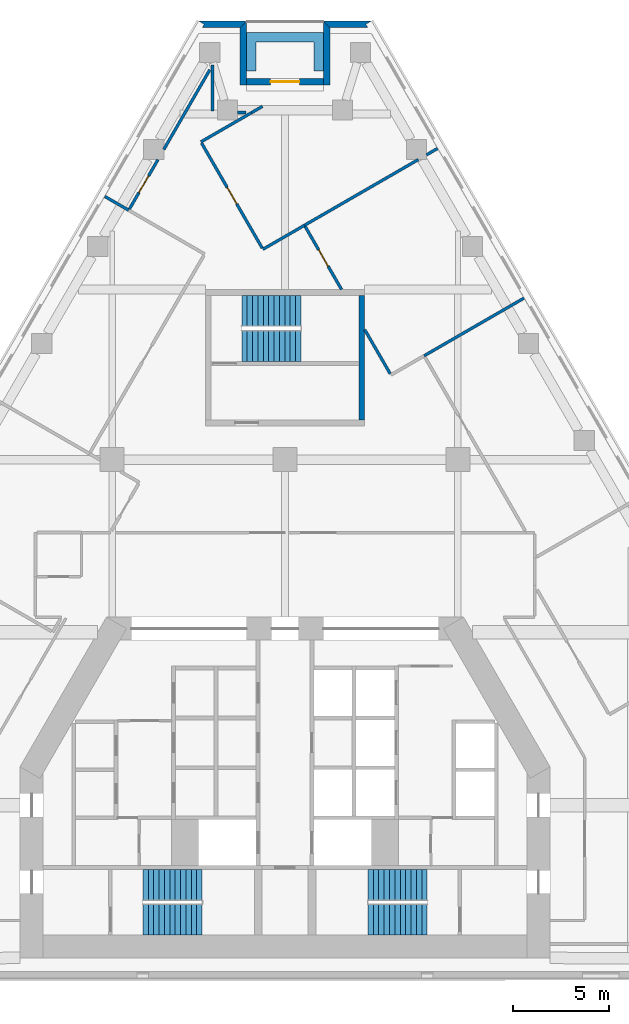
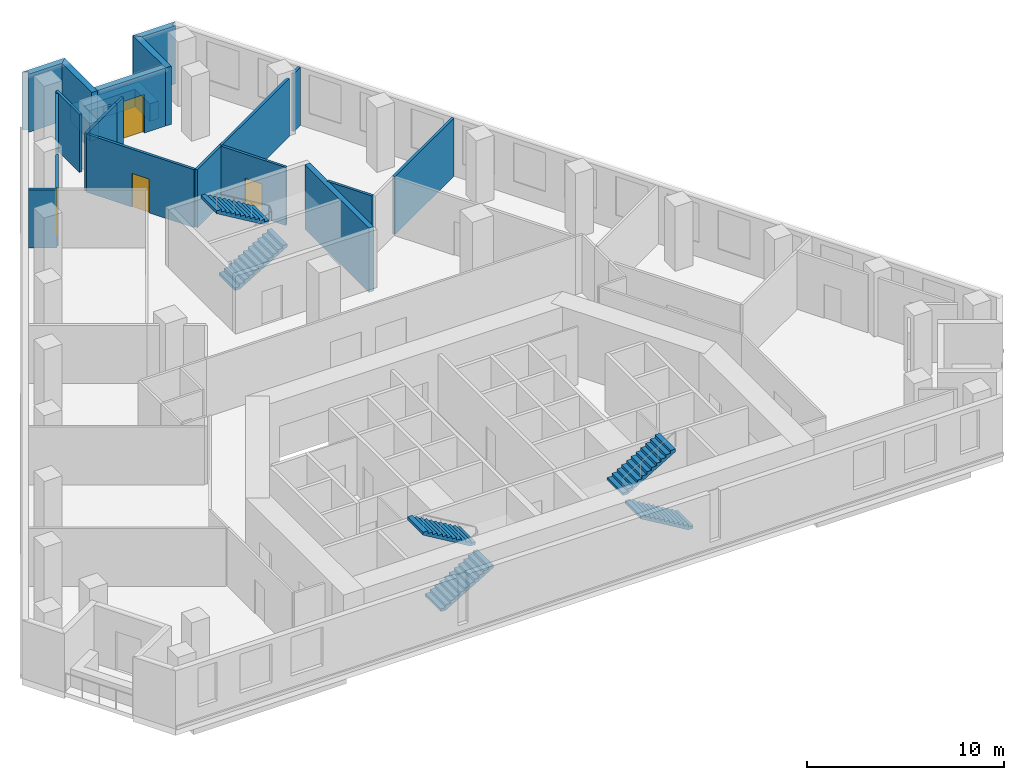
# One storey, part 7 of 8: 21 walls, 6 stair flights, 4 doors, 4 openings, 3 elements without a shape of their own.
"""IFC4 building model written with IfcOpenShell, lengths in metres."""

from ifc_helpers import new_model, si_unit, direction, frame, frame_2d, origin, place, context, subcontext, project, spatial, polyline, rectangle, outline, extrude, material, layer, layer_set, type_object, element, fill, aggregate, save


model = new_model("IFC4")

# Units and contexts
model_context = context("Model", 3, precision=1e-05, world=origin(), true_north=direction((0.0, 1.0)))
body_context = subcontext(model_context, "Body", "Model", "MODEL_VIEW")
ifc_project = project(units=[si_unit("LENGTHUNIT", "METRE"), si_unit("AREAUNIT", "SQUARE_METRE"), si_unit("VOLUMEUNIT", "CUBIC_METRE"), si_unit("PLANEANGLEUNIT", "RADIAN"), si_unit("MASSUNIT", "GRAM", prefix="KILO")], contexts=[model_context])

# Site, building, storey
site_placement = place(None, origin())
site = spatial("IfcSite", under=ifc_project, at=site_placement, CompositionType="ELEMENT")
building_placement = place(site_placement, origin())
building = spatial("IfcBuilding", under=site, at=building_placement, Name="Fogline Exchange Tower", CompositionType="ELEMENT")
storey_placement = place(building_placement, frame((0.0, 0.0, 162.89990234375)))
storey = spatial("IfcBuildingStorey", under=building, at=storey_placement, Name="L36", CompositionType="ELEMENT", Elevation=162.89990234375)

# Walls
ifc_material_1 = material(Name="Concrete C40", Category="concrete")
ifc_layer_1 = layer(ifc_material_1, 0.300048828125)
ifc_layer_set_1 = layer_set([ifc_layer_1], Name="CW30")
wall_type_1 = type_object("IfcWallType", Name="CW30", PredefinedType="SOLIDWALL", material=ifc_layer_set_1)
wall_1_placement = place(storey_placement, frame((4.0, 29.056884765625, -0.39990234375), z_axis=(0.0, 0.0, 1.0), x_axis=(0.0, 1.0, 0.0)))
element("IfcWall", 1, at=wall_1_placement, inside=storey, type_object=wall_type_1, Name="Stair enclosure wall ST3", PredefinedType="SOLIDWALL", context=body_context, shape_type="SweptSolid", body=[
    extrude(rectangle(XDim=6.5, YDim=0.300048828125, at=frame_2d((3.25, 0.0))), origin(), (0.0, 0.0, 1.0), 4.0),
])
ifc_material_2 = material(Name="Brick masonry", Category="masonry")
ifc_layer_2 = layer(ifc_material_2, 0.340087890625)
ifc_layer_set_2 = layer_set([ifc_layer_2], Name="FW1")
wall_type_2 = type_object("IfcWallType", Name="FW1", PredefinedType="SOLIDWALL", material=ifc_layer_set_2)
wall_2_placement = place(storey_placement, origin())
element("IfcWall", 2, at=wall_2_placement, inside=storey, type_object=wall_type_2, Name="Brick wall L36 N-c1", PredefinedType="SOLIDWALL", context=body_context, shape_type="SweptSolid", body=[
    extrude(outline(polyline([(1.9990234375, 49.84228515625), (4.5009765625, 49.84228515625), (4.501220703125, 49.841552734375), (4.206298828125, 49.67138671875), (4.3046875, 49.5009765625), (2.33984375, 49.5009765625), (1.998779296875, 49.842041015625), (1.9990234375, 49.84228515625)])), origin(), (0.0, 0.0, 1.0), 3.60009765625),
])
wall_3_placement = place(storey_placement, origin())
element("IfcWall", 3, at=wall_3_placement, inside=storey, type_object=wall_type_2, Name="Brick wall L36 N-s1", PredefinedType="SOLIDWALL", context=body_context, shape_type="SweptSolid", body=[
    extrude(outline(polyline([(2.340576171875, 46.5009765625), (1.99951171875, 46.5009765625), (1.99951171875, 49.8427734375), (1.999755859375, 49.8427734375), (2.340576171875, 49.501953125), (2.340576171875, 46.5009765625)])), origin(), (0.0, 0.0, 1.0), 3.60009765625),
])

# Wall, opening, door
wall_4_placement = place(storey_placement, frame((2.0, 46.671630859375, 0.0), z_axis=(0.0, 0.0, 1.0), x_axis=(-1.0, 0.0, 0.0)))
wall_4 = element("IfcWall", 4, at=wall_4_placement, inside=storey, type_object=wall_type_2, Name="Brick wall L36 N-bk", PredefinedType="SOLIDWALL", context=body_context, shape_type="SweptSolid", body=[
    extrude(rectangle(XDim=4.0, YDim=0.340087890625, at=frame_2d((2.0, 0.0))), origin(), (0.0, 0.0, 1.0), 3.60009765625),
])
opening_1_placement = place(wall_4_placement, frame((1.25, 0.0, 0.0)))
opening_1 = element("IfcOpeningElement", 5, at=opening_1_placement, cuts=wall_4, Name="Opening T11-E141", PredefinedType="OPENING", context=body_context, shape_type="SweptSolid", body=[
    extrude(rectangle(XDim=1.5, YDim=2.39990234375, at=frame_2d((0.75, 1.199951171875))), frame((0.0, 0.18017578125, 0.0), z_axis=(0.0, -1.0, 0.0), x_axis=(1.0, 0.0, 0.0)), (0.0, 0.0, 1.0), 0.360107421875),
])
ifc_material_3 = material(Name="Aluminium and glass", Category="aluminium")
door_type_1 = type_object("IfcDoorType", Name="ED4", OperationType="SINGLE_SWING_LEFT", PredefinedType="DOOR", material=ifc_material_3)
door_1_placement = place(opening_1_placement, frame((1.5, 0.0, 0.0), z_axis=(0.0, 0.0, 1.0), x_axis=(-1.0, 0.0, 0.0)))
door_1 = element("IfcDoor", 6, at=door_1_placement, inside=storey, type_object=door_type_1, Name="Balcony door L36 N", OperationType="DOUBLE_DOOR_SINGLE_SWING", OverallHeight=2.39990234375, OverallWidth=1.5, PredefinedType="DOOR", context=body_context, shape_type="SweptSolid", body=[
    extrude(rectangle(XDim=1.5, YDim=2.39990234375, at=frame_2d((0.75, 1.199951171875))), frame((0.0, 0.02490234375, 0.0), z_axis=(0.0, -1.0, 0.0), x_axis=(1.0, 0.0, 0.0)), (0.0, 0.0, 1.0), 0.050048828125),
])
fill(opening_1, door_1)

# Walls
wall_5_placement = place(storey_placement, origin())
element("IfcWall", 7, at=wall_5_placement, inside=storey, type_object=wall_type_2, Name="Brick wall L36 N-s2", PredefinedType="SOLIDWALL", context=body_context, shape_type="SweptSolid", body=[
    extrude(outline(polyline([(-1.99951171875, 49.8427734375), (-1.99951171875, 46.5009765625), (-2.340576171875, 46.5009765625), (-2.340576171875, 49.501953125), (-1.999755859375, 49.8427734375), (-1.99951171875, 49.8427734375)])), origin(), (0.0, 0.0, 1.0), 3.60009765625),
])
wall_6_placement = place(storey_placement, origin())
element("IfcWall", 8, at=wall_6_placement, inside=storey, type_object=wall_type_2, Name="Brick wall L36 N-c2", PredefinedType="SOLIDWALL", context=body_context, shape_type="SweptSolid", body=[
    extrude(outline(polyline([(-4.3046875, 49.5009765625), (-4.206298828125, 49.67138671875), (-4.501220703125, 49.841552734375), (-4.5009765625, 49.84228515625), (-1.9990234375, 49.84228515625), (-1.998779296875, 49.842041015625), (-2.33984375, 49.5009765625), (-4.3046875, 49.5009765625)])), origin(), (0.0, 0.0, 1.0), 3.60009765625),
])
ifc_material_4 = material(Name="Concrete C30", Category="concrete")
ifc_layer_3 = layer(ifc_material_4, 0.199951171875)
ifc_layer_set_3 = layer_set([ifc_layer_3], Name="PL1")
wall_type_3 = type_object("IfcWallType", Name="PL1", PredefinedType="USERDEFINED", material=ifc_layer_set_3)
wall_7_placement = place(storey_placement, origin())
element("IfcWall", 9, at=wall_7_placement, inside=storey, type_object=wall_type_3, Name="PLANTER balcony L36 N", ObjectType="PLANTER", PredefinedType="USERDEFINED", context=body_context, shape_type="SweptSolid", body=[
    extrude(outline(polyline([(-1.5, 49.24169921875), (-2.0, 49.24169921875), (-2.0, 48.74169921875), (-2.0, 47.24169921875), (-1.5, 47.24169921875), (-1.5, 48.74169921875), (1.5, 48.74169921875), (1.5, 47.24169921875), (2.0, 47.24169921875), (2.0, 48.74169921875), (2.0, 49.24169921875), (1.5, 49.24169921875), (-1.5, 49.24169921875)])), origin(), (0.0, 0.0, 1.0), 1.10009765625),
])
ifc_material_5 = material(Name="Plasterboard demising partition with mineral wool and acoustic board")
ifc_layer_4 = layer(ifc_material_5, 0.14990234375)
ifc_layer_set_4 = layer_set([ifc_layer_4], Name="PW3")
wall_type_4 = type_object("IfcWallType", Name="PW3", PredefinedType="PARTITIONING", material=ifc_layer_set_4)
wall_8_placement = place(storey_placement, frame((7.2451171875, 32.40673828125, 0.0), z_axis=(0.0, 0.0, 1.0), x_axis=(0.866031096941, 0.499990139034, 0.0)))
element("IfcWall", 10, at=wall_8_placement, inside=storey, type_object=wall_type_4, Name="wall-L36-W023", PredefinedType="PARTITIONING", context=body_context, shape_type="SweptSolid", body=[
    extrude(rectangle(XDim=6.0, YDim=0.14990234375, at=frame_2d((3.0, 0.0))), origin(), (0.0, 0.0, 1.0), 3.60009765625),
])
wall_9_placement = place(storey_placement, frame((1.01318359375, 39.200927734375, 0.0), z_axis=(0.0, 0.0, 1.0), x_axis=(0.866025119933, 0.500000491645, 0.0)))
element("IfcWall", 11, at=wall_9_placement, inside=storey, type_object=wall_type_4, Name="wall-L36-W025", PredefinedType="PARTITIONING", context=body_context, shape_type="SweptSolid", body=[
    extrude(rectangle(XDim=6.8408203125, YDim=0.14990234375, at=frame_2d((3.42041015625, 0.0))), origin(), (0.0, 0.0, 1.0), 3.60009765625),
])
wall_10_placement = place(storey_placement, frame((7.36328125, 42.8671875, 0.0), z_axis=(0.0, 0.0, 1.0), x_axis=(0.866051602307, 0.499954620082, 0.0)))
element("IfcWall", 12, at=wall_10_placement, inside=storey, type_object=wall_type_4, Name="wall-L36-W026", PredefinedType="PARTITIONING", context=body_context, shape_type="SweptSolid", body=[
    extrude(rectangle(XDim=0.66748046875, YDim=0.14990234375, at=frame_2d((0.333740234375, 0.0))), origin(), (0.0, 0.0, 1.0), 3.60009765625),
])
wall_11_placement = place(storey_placement, frame((5.4755859375, 31.4716796875, 0.0), z_axis=(0.0, 0.0, 1.0), x_axis=(-0.500001430823, 0.866024577697, 0.0)))
element("IfcWall", 13, at=wall_11_placement, inside=storey, type_object=wall_type_4, Name="wall-L36-W028", PredefinedType="PARTITIONING", context=body_context, shape_type="SweptSolid", body=[
    extrude(rectangle(XDim=2.6513671875, YDim=0.14990234375, at=frame_2d((1.32568359375, 0.0))), origin(), (0.0, 0.0, 1.0), 3.60009765625),
])

# Wall, opening, door
wall_12_placement = place(storey_placement, frame((2.94384765625, 35.85693359375, 0.0), z_axis=(0.0, 0.0, 1.0), x_axis=(-0.49998106849, 0.866036333621, 0.0)))
wall_12 = element("IfcWall", 14, at=wall_12_placement, inside=storey, type_object=wall_type_4, Name="wall-L36-W029", PredefinedType="PARTITIONING", context=body_context, shape_type="SweptSolid", body=[
    extrude(rectangle(XDim=3.786376953125, YDim=0.14990234375, at=frame_2d((1.89306640625, 0.0))), origin(), (0.0, 0.0, 1.0), 3.60009765625),
])
opening_2_placement = place(wall_12_placement, frame((1.39306640625, 0.0, 0.0)))
opening_2 = element("IfcOpeningElement", 15, at=opening_2_placement, cuts=wall_12, Name="Opening T11-D009", PredefinedType="OPENING", context=body_context, shape_type="SweptSolid", body=[
    extrude(rectangle(XDim=1.0, YDim=2.10009765625, at=frame_2d((0.5, 1.050048828125))), frame((0.0, 0.0849609375, 0.0), z_axis=(0.0, -1.0, 0.0), x_axis=(1.0, 0.0, 0.0)), (0.0, 0.0, 1.0), 0.169921875),
])
ifc_material_6 = material(Name="Fire-rated timber door leaf with steel frame", Category="steel")
door_type_2 = type_object("IfcDoorType", Name="D3", OperationType="SINGLE_SWING_LEFT", PredefinedType="DOOR", material=ifc_material_6)
door_2_placement = place(opening_2_placement, frame((1.0, 0.0, 0.0), z_axis=(0.0, 0.0, 1.0), x_axis=(-1.0, 0.0, 0.0)))
door_2 = element("IfcDoor", 16, at=door_2_placement, inside=storey, type_object=door_type_2, Name="door-L36-D009", OperationType="SINGLE_SWING_LEFT", OverallHeight=2.10009765625, OverallWidth=1.0, PredefinedType="DOOR", context=body_context, shape_type="SweptSolid", body=[
    extrude(rectangle(XDim=1.0, YDim=2.10009765625, at=frame_2d((0.5, 1.050048828125))), frame((0.0, 0.02490234375, 0.0), z_axis=(0.0, -1.0, 0.0), x_axis=(1.0, 0.0, 0.0)), (0.0, 0.0, 1.0), 0.050048828125),
])
fill(opening_2, door_2)

# Wall
wall_13_placement = place(storey_placement, frame((1.01318359375, 39.200927734375, 0.0), z_axis=(0.0, 0.0, 1.0), x_axis=(-0.866022959057, -0.500004234368, 0.0)))
element("IfcWall", 17, at=wall_13_placement, inside=storey, type_object=wall_type_4, Name="wall-L36-W030", PredefinedType="PARTITIONING", context=body_context, shape_type="SweptSolid", body=[
    extrude(rectangle(XDim=2.5, YDim=0.14990234375, at=frame_2d((1.25, 0.0))), origin(), (0.0, 0.0, 1.0), 3.60009765625),
])

# Wall, opening, door
wall_14_placement = place(storey_placement, frame((-1.189453125, 38.01611328125, 0.0), z_axis=(0.0, 0.0, 1.0), x_axis=(-0.50001509031, 0.866016691215, 0.0)))
wall_14 = element("IfcWall", 18, at=wall_14_placement, inside=storey, type_object=wall_type_4, Name="wall-L36-W031", PredefinedType="PARTITIONING", context=body_context, shape_type="SweptSolid", body=[
    extrude(rectangle(XDim=6.306884765625, YDim=0.14990234375, at=frame_2d((3.1533203125, 0.0))), origin(), (0.0, 0.0, 1.0), 3.60009765625),
])
opening_3_placement = place(wall_14_placement, frame((2.653564453125, 0.0, 0.0)))
opening_3 = element("IfcOpeningElement", 19, at=opening_3_placement, cuts=wall_14, Name="Opening T11-D010", PredefinedType="OPENING", context=body_context, shape_type="SweptSolid", body=[
    extrude(rectangle(XDim=1.0, YDim=2.10009765625, at=frame_2d((0.5, 1.050048828125))), frame((0.0, 0.0849609375, 0.0), z_axis=(0.0, -1.0, 0.0), x_axis=(1.0, 0.0, 0.0)), (0.0, 0.0, 1.0), 0.169921875),
])
door_3_placement = place(opening_3_placement, frame((1.0, 0.0, 0.0), z_axis=(0.0, 0.0, 1.0), x_axis=(-1.0, 0.0, 0.0)))
door_3 = element("IfcDoor", 20, at=door_3_placement, inside=storey, type_object=door_type_2, Name="door-L36-D010", OperationType="SINGLE_SWING_RIGHT", OverallHeight=2.10009765625, OverallWidth=1.0, PredefinedType="DOOR", context=body_context, shape_type="SweptSolid", body=[
    extrude(rectangle(XDim=1.0, YDim=2.10009765625, at=frame_2d((0.5, 1.050048828125))), frame((0.0, 0.02490234375, 0.0), z_axis=(0.0, -1.0, 0.0), x_axis=(1.0, 0.0, 0.0)), (0.0, 0.0, 1.0), 0.050048828125),
])
fill(opening_3, door_3)

# Walls
wall_15_placement = place(storey_placement, frame((-4.38037109375, 43.54296875, 0.0), z_axis=(0.0, 0.0, 1.0), x_axis=(0.865998600028, 0.500046422594, 0.0)))
element("IfcWall", 21, at=wall_15_placement, inside=storey, type_object=wall_type_4, Name="wall-L36-W032", PredefinedType="PARTITIONING", context=body_context, shape_type="SweptSolid", body=[
    extrude(rectangle(XDim=3.044189453125, YDim=0.14990234375, at=frame_2d((1.52197265625, 0.0))), origin(), (0.0, 0.0, 1.0), 3.60009765625),
])
wall_16_placement = place(storey_placement, frame((-1.744140625, 45.065185546875, 0.0), z_axis=(0.0, 0.0, 1.0), x_axis=(0.865993787616, 0.500054756813, 0.0)))
element("IfcWall", 22, at=wall_16_placement, inside=storey, type_object=wall_type_4, Name="wall-L36-W033", PredefinedType="PARTITIONING", context=body_context, shape_type="SweptSolid", body=[
    extrude(rectangle(XDim=0.6572265625, YDim=0.14990234375, at=frame_2d((0.32861328125, 0.0))), origin(), (0.0, 0.0, 1.0), 3.60009765625),
])

# Wall, opening, door
wall_17_placement = place(storey_placement, frame((-8.102294921875, 40.04931640625, 0.0), z_axis=(0.0, 0.0, 1.0), x_axis=(0.500037910135, 0.866003515251, 0.0)))
wall_17 = element("IfcWall", 23, at=wall_17_placement, inside=storey, type_object=wall_type_4, Name="wall-L36-W034", PredefinedType="PARTITIONING", context=body_context, shape_type="SweptSolid", body=[
    extrude(rectangle(XDim=2.969970703125, YDim=0.14990234375, at=frame_2d((1.48486328125, 0.0))), origin(), (0.0, 0.0, 1.0), 3.60009765625),
])
opening_4_placement = place(wall_17_placement, frame((0.985107421875, 0.0, 0.0)))
opening_4 = element("IfcOpeningElement", 24, at=opening_4_placement, cuts=wall_17, Name="Opening T11-D011", PredefinedType="OPENING", context=body_context, shape_type="SweptSolid", body=[
    extrude(rectangle(XDim=1.0, YDim=2.10009765625, at=frame_2d((0.5, 1.050048828125))), frame((0.0, 0.0849609375, 0.0), z_axis=(0.0, -1.0, 0.0), x_axis=(1.0, 0.0, 0.0)), (0.0, 0.0, 1.0), 0.169921875),
])
door_4_placement = place(opening_4_placement, origin())
door_4 = element("IfcDoor", 25, at=door_4_placement, inside=storey, type_object=door_type_2, Name="door-L36-D011", OperationType="SINGLE_SWING_LEFT", OverallHeight=2.10009765625, OverallWidth=1.0, PredefinedType="DOOR", context=body_context, shape_type="SweptSolid", body=[
    extrude(rectangle(XDim=1.0, YDim=2.10009765625, at=frame_2d((0.5, 1.050048828125))), frame((0.0, 0.02490234375, 0.0), z_axis=(0.0, -1.0, 0.0), x_axis=(1.0, 0.0, 0.0)), (0.0, 0.0, 1.0), 0.050048828125),
])
fill(opening_4, door_4)

# Walls
wall_18_placement = place(storey_placement, frame((-6.3134765625, 43.147705078125, 0.0), z_axis=(0.0, 0.0, 1.0), x_axis=(0.500011970786, 0.866018492338, 0.0)))
element("IfcWall", 26, at=wall_18_placement, inside=storey, type_object=wall_type_4, Name="wall-L36-W035", PredefinedType="PARTITIONING", context=body_context, shape_type="SweptSolid", body=[
    extrude(rectangle(XDim=4.79345703125, YDim=0.14990234375, at=frame_2d((2.396728515625, 0.0))), origin(), (0.0, 0.0, 1.0), 3.60009765625),
])
wall_19_placement = place(storey_placement, frame((-3.776611328125, 47.541748046875, 0.0), z_axis=(0.0, 0.0, 1.0), x_axis=(0.0, -1.0, 0.0)))
element("IfcWall", 27, at=wall_19_placement, inside=storey, type_object=wall_type_4, Name="wall-L36-W036", PredefinedType="PARTITIONING", context=body_context, shape_type="SweptSolid", body=[
    extrude(rectangle(XDim=2.401611328125, YDim=0.14990234375, at=frame_2d((1.20068359375, 0.0))), origin(), (0.0, 0.0, 1.0), 3.60009765625),
])
wall_20_placement = place(storey_placement, frame((-2.47509765625, 45.065185546875, 0.0), z_axis=(0.0, 0.0, 1.0), x_axis=(1.0, 0.0, 0.0)))
element("IfcWall", 28, at=wall_20_placement, inside=storey, type_object=wall_type_4, Name="wall-L36-W037", PredefinedType="PARTITIONING", context=body_context, shape_type="SweptSolid", body=[
    extrude(rectangle(XDim=0.45068359375, YDim=0.14990234375, at=frame_2d((0.225341796875, 0.0))), origin(), (0.0, 0.0, 1.0), 3.60009765625),
])
wall_21_placement = place(storey_placement, frame((-8.139892578125, 39.984375, 0.0), z_axis=(0.0, 0.0, 1.0), x_axis=(-0.866069535745, 0.49992355341, 0.0)))
element("IfcWall", 29, at=wall_21_placement, inside=storey, type_object=wall_type_4, Name="wall-L36-W043", PredefinedType="PARTITIONING", context=body_context, shape_type="SweptSolid", body=[
    extrude(rectangle(XDim=1.436279296875, YDim=0.14990234375, at=frame_2d((0.71826171875, 0.0))), origin(), (0.0, 0.0, 1.0), 3.60009765625),
])

# Stair, stair flights
stair_type = type_object("IfcStairType", Name="STR24-1667", PredefinedType="HALF_TURN_STAIR", material=ifc_material_1)
stair_1_placement = place(storey_placement, origin())
stair_1 = element("IfcStair", 30, at=stair_1_placement, inside=storey, type_object=stair_type, Name="Stair ST1", PredefinedType="HALF_TURN_STAIR")
stair_flight_type = type_object("IfcStairFlightType", Name="SF12-1667", PredefinedType="STRAIGHT", material=ifc_material_1)
stair_flight_1_placement = place(storey_placement, frame((-7.39990234375, 3.050048828125, 0.0), z_axis=(0.0, 0.0, 1.0), x_axis=(1.0, 0.0, 0.0)))
stair_flight_1 = element("IfcStairFlight", 31, at=stair_flight_1_placement, type_object=stair_flight_type, Name="ST1 flight 1", NumberOfRisers=12, NumberOfTreads=11, PredefinedType="STRAIGHT", RiserHeight=0.166666667, TreadLength=0.28, context=body_context, shape_type="SweptSolid", body=[
    extrude(outline(polyline([(0.0, 0.0), (0.0, 0.166748046875), (0.280029296875, 0.166748046875), (0.280029296875, 0.333251953125), (0.56005859375, 0.333251953125), (0.56005859375, 0.5), (0.840087890625, 0.5), (0.840087890625, 0.666748046875), (1.1201171875, 0.666748046875), (1.1201171875, 0.833251953125), (1.39990234375, 0.833251953125), (1.39990234375, 1.0), (1.679931640625, 1.0), (1.679931640625, 1.166748046875), (1.9599609375, 1.166748046875), (1.9599609375, 1.333251953125), (2.239990234375, 1.333251953125), (2.239990234375, 1.5), (2.52001953125, 1.5), (2.52001953125, 1.666748046875), (2.800048828125, 1.666748046875), (2.800048828125, 1.833251953125), (3.080078125, 1.833251953125), (3.080078125, 2.0), (3.080078125, 1.658935546875), (0.29296875, 0.0), (0.0, 0.0)])), frame((0.0, 0.800048828125, 0.0), z_axis=(0.0, -1.0, 0.0), x_axis=(1.0, 0.0, 0.0)), (0.0, 0.0, 1.0), 1.60009765625),
])
stair_flight_2_placement = place(storey_placement, frame((-4.320068359375, 4.85009765625, 2.0), z_axis=(0.0, 0.0, 1.0), x_axis=(-1.0, 0.0, 0.0)))
stair_flight_2 = element("IfcStairFlight", 32, at=stair_flight_2_placement, type_object=stair_flight_type, Name="ST1 flight 2", NumberOfRisers=12, NumberOfTreads=11, PredefinedType="STRAIGHT", RiserHeight=0.166666667, TreadLength=0.28, context=body_context, shape_type="SweptSolid", body=[
    extrude(outline(polyline([(0.0, 0.0), (0.0, 0.166748046875), (0.280029296875, 0.166748046875), (0.280029296875, 0.333251953125), (0.56005859375, 0.333251953125), (0.56005859375, 0.5), (0.840087890625, 0.5), (0.840087890625, 0.666748046875), (1.1201171875, 0.666748046875), (1.1201171875, 0.833251953125), (1.39990234375, 0.833251953125), (1.39990234375, 1.0), (1.679931640625, 1.0), (1.679931640625, 1.166748046875), (1.9599609375, 1.166748046875), (1.9599609375, 1.333251953125), (2.239990234375, 1.333251953125), (2.239990234375, 1.5), (2.52001953125, 1.5), (2.52001953125, 1.666748046875), (2.800048828125, 1.666748046875), (2.800048828125, 1.833251953125), (3.080078125, 1.833251953125), (3.080078125, 2.0), (3.080078125, 1.658935546875), (0.29296875, 0.0), (0.0, 0.0)])), frame((0.0, 0.800048828125, 0.0), z_axis=(0.0, -1.0, 0.0), x_axis=(1.0, 0.0, 0.0)), (0.0, 0.0, 1.0), 1.60009765625),
])
aggregate(stair_1, [stair_flight_1, stair_flight_2])

stair_2_placement = place(storey_placement, origin())
stair_2 = element("IfcStair", 33, at=stair_2_placement, inside=storey, type_object=stair_type, Name="Stair ST2", PredefinedType="HALF_TURN_STAIR")
stair_flight_3_placement = place(storey_placement, frame((7.39990234375, 3.050048828125, 0.0), z_axis=(0.0, 0.0, 1.0), x_axis=(-1.0, 0.0, 0.0)))
stair_flight_3 = element("IfcStairFlight", 34, at=stair_flight_3_placement, type_object=stair_flight_type, Name="ST2 flight 1", NumberOfRisers=12, NumberOfTreads=11, PredefinedType="STRAIGHT", RiserHeight=0.166666667, TreadLength=0.28, context=body_context, shape_type="SweptSolid", body=[
    extrude(outline(polyline([(0.0, 0.0), (0.0, 0.166748046875), (0.280029296875, 0.166748046875), (0.280029296875, 0.333251953125), (0.56005859375, 0.333251953125), (0.56005859375, 0.5), (0.840087890625, 0.5), (0.840087890625, 0.666748046875), (1.1201171875, 0.666748046875), (1.1201171875, 0.833251953125), (1.39990234375, 0.833251953125), (1.39990234375, 1.0), (1.679931640625, 1.0), (1.679931640625, 1.166748046875), (1.9599609375, 1.166748046875), (1.9599609375, 1.333251953125), (2.239990234375, 1.333251953125), (2.239990234375, 1.5), (2.52001953125, 1.5), (2.52001953125, 1.666748046875), (2.800048828125, 1.666748046875), (2.800048828125, 1.833251953125), (3.080078125, 1.833251953125), (3.080078125, 2.0), (3.080078125, 1.658935546875), (0.29296875, 0.0), (0.0, 0.0)])), frame((0.0, 0.800048828125, 0.0), z_axis=(0.0, -1.0, 0.0), x_axis=(1.0, 0.0, 0.0)), (0.0, 0.0, 1.0), 1.60009765625),
])
stair_flight_4_placement = place(storey_placement, frame((4.320068359375, 4.85009765625, 2.0), z_axis=(0.0, 0.0, 1.0), x_axis=(1.0, 0.0, 0.0)))
stair_flight_4 = element("IfcStairFlight", 35, at=stair_flight_4_placement, type_object=stair_flight_type, Name="ST2 flight 2", NumberOfRisers=12, NumberOfTreads=11, PredefinedType="STRAIGHT", RiserHeight=0.166666667, TreadLength=0.28, context=body_context, shape_type="SweptSolid", body=[
    extrude(outline(polyline([(0.0, 0.0), (0.0, 0.166748046875), (0.280029296875, 0.166748046875), (0.280029296875, 0.333251953125), (0.56005859375, 0.333251953125), (0.56005859375, 0.5), (0.840087890625, 0.5), (0.840087890625, 0.666748046875), (1.1201171875, 0.666748046875), (1.1201171875, 0.833251953125), (1.39990234375, 0.833251953125), (1.39990234375, 1.0), (1.679931640625, 1.0), (1.679931640625, 1.166748046875), (1.9599609375, 1.166748046875), (1.9599609375, 1.333251953125), (2.239990234375, 1.333251953125), (2.239990234375, 1.5), (2.52001953125, 1.5), (2.52001953125, 1.666748046875), (2.800048828125, 1.666748046875), (2.800048828125, 1.833251953125), (3.080078125, 1.833251953125), (3.080078125, 2.0), (3.080078125, 1.658935546875), (0.29296875, 0.0), (0.0, 0.0)])), frame((0.0, 0.800048828125, 0.0), z_axis=(0.0, -1.0, 0.0), x_axis=(1.0, 0.0, 0.0)), (0.0, 0.0, 1.0), 1.60009765625),
])
aggregate(stair_2, [stair_flight_3, stair_flight_4])

stair_3_placement = place(storey_placement, origin())
stair_3 = element("IfcStair", 36, at=stair_3_placement, inside=storey, type_object=stair_type, Name="Stair ST3", PredefinedType="HALF_TURN_STAIR")
stair_flight_5_placement = place(storey_placement, frame((-2.25, 32.906982421875, 0.0), z_axis=(0.0, 0.0, 1.0), x_axis=(1.0, 0.0, 0.0)))
stair_flight_5 = element("IfcStairFlight", 37, at=stair_flight_5_placement, type_object=stair_flight_type, Name="ST3 flight 1", NumberOfRisers=12, NumberOfTreads=11, PredefinedType="STRAIGHT", RiserHeight=0.166666667, TreadLength=0.28, context=body_context, shape_type="SweptSolid", body=[
    extrude(outline(polyline([(0.0, 0.0), (0.0, 0.166748046875), (0.280029296875, 0.166748046875), (0.280029296875, 0.333251953125), (0.56005859375, 0.333251953125), (0.56005859375, 0.5), (0.840087890625, 0.5), (0.840087890625, 0.666748046875), (1.1201171875, 0.666748046875), (1.1201171875, 0.833251953125), (1.39990234375, 0.833251953125), (1.39990234375, 1.0), (1.679931640625, 1.0), (1.679931640625, 1.166748046875), (1.9599609375, 1.166748046875), (1.9599609375, 1.333251953125), (2.239990234375, 1.333251953125), (2.239990234375, 1.5), (2.52001953125, 1.5), (2.52001953125, 1.666748046875), (2.800048828125, 1.666748046875), (2.800048828125, 1.833251953125), (3.080078125, 1.833251953125), (3.080078125, 2.0), (3.080078125, 1.658935546875), (0.29296875, 0.0), (0.0, 0.0)])), frame((0.0, 0.800048828125, 0.0), z_axis=(0.0, -1.0, 0.0), x_axis=(1.0, 0.0, 0.0)), (0.0, 0.0, 1.0), 1.60009765625),
])
stair_flight_6_placement = place(storey_placement, frame((0.830078125, 34.757080078125, 2.0), z_axis=(0.0, 0.0, 1.0), x_axis=(-1.0, 0.0, 0.0)))
stair_flight_6 = element("IfcStairFlight", 38, at=stair_flight_6_placement, type_object=stair_flight_type, Name="ST3 flight 2", NumberOfRisers=12, NumberOfTreads=11, PredefinedType="STRAIGHT", RiserHeight=0.166666667, TreadLength=0.28, context=body_context, shape_type="SweptSolid", body=[
    extrude(outline(polyline([(0.0, 0.0), (0.0, 0.166748046875), (0.280029296875, 0.166748046875), (0.280029296875, 0.333251953125), (0.56005859375, 0.333251953125), (0.56005859375, 0.5), (0.840087890625, 0.5), (0.840087890625, 0.666748046875), (1.1201171875, 0.666748046875), (1.1201171875, 0.833251953125), (1.39990234375, 0.833251953125), (1.39990234375, 1.0), (1.679931640625, 1.0), (1.679931640625, 1.166748046875), (1.9599609375, 1.166748046875), (1.9599609375, 1.333251953125), (2.239990234375, 1.333251953125), (2.239990234375, 1.5), (2.52001953125, 1.5), (2.52001953125, 1.666748046875), (2.800048828125, 1.666748046875), (2.800048828125, 1.833251953125), (3.080078125, 1.833251953125), (3.080078125, 2.0), (3.080078125, 1.658935546875), (0.29296875, 0.0), (0.0, 0.0)])), frame((0.0, 0.800048828125, 0.0), z_axis=(0.0, -1.0, 0.0), x_axis=(1.0, 0.0, 0.0)), (0.0, 0.0, 1.0), 1.60009765625),
])
aggregate(stair_3, [stair_flight_5, stair_flight_6])

save(model, "model.ifc")
